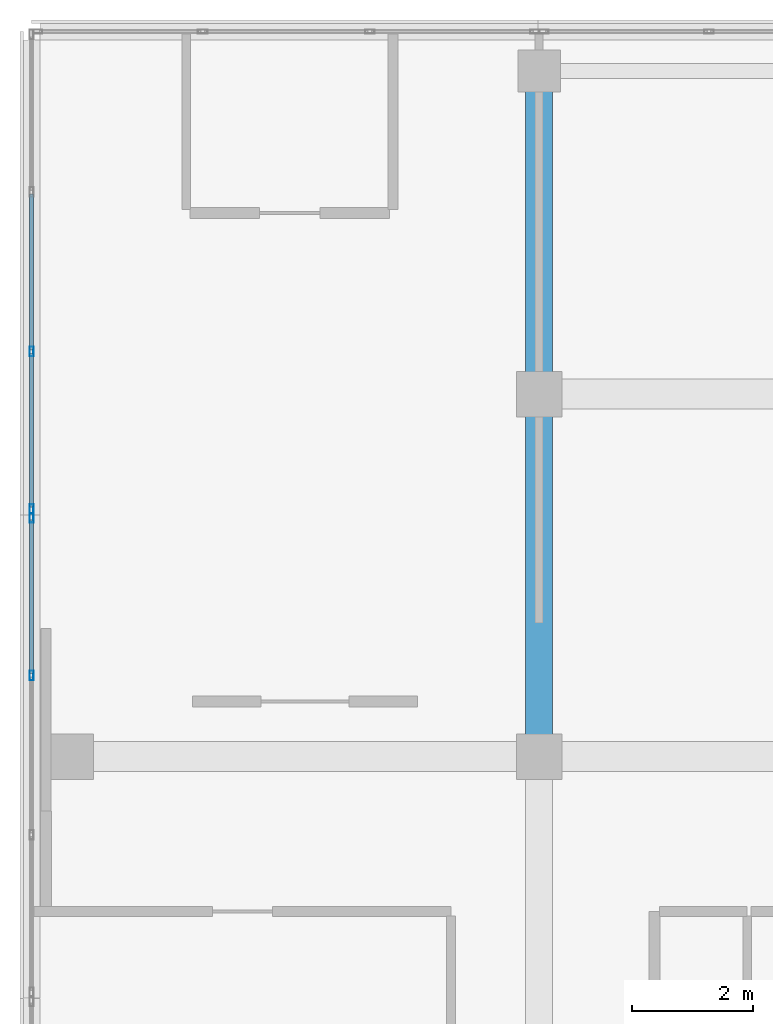
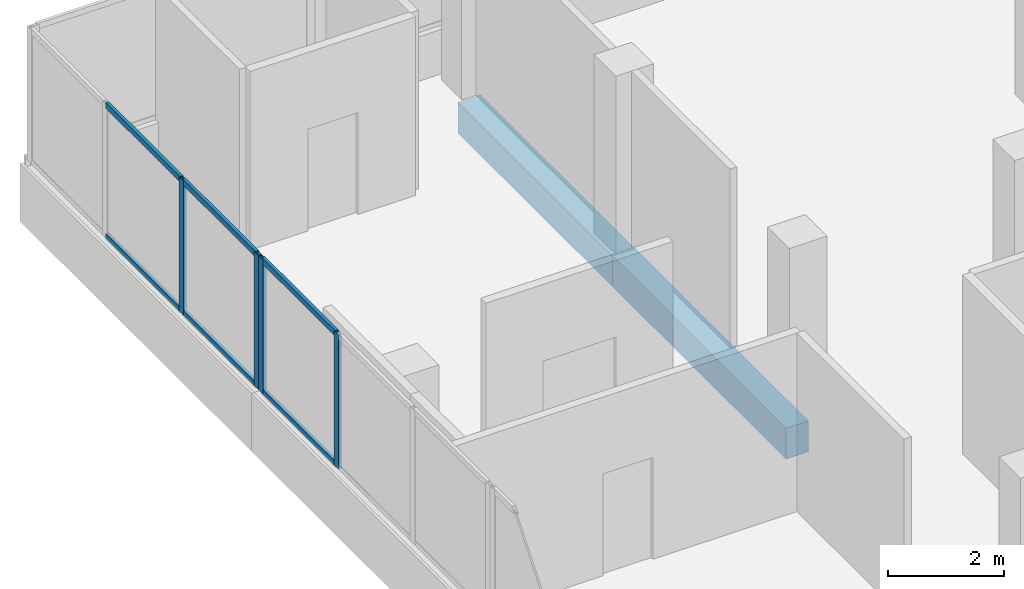
# One storey, part 33 of 101: 10 members, 2 beams, 2 elements without a shape of their own.
"""IFC4 building model written with IfcOpenShell, lengths in metres."""

from ifc_helpers import new_model, si_unit, direction, frame, origin, origin_2d, place, context, subcontext, project, spatial, rectangle, hollow_rectangle, extrude, material, material_profile, profile_set, type_object, element, aggregate, save


model = new_model("IFC4")

# Units and contexts
model_context = context("Model", 3, precision=1e-05, world=origin(), true_north=direction((0.0, 1.0)))
body_context = subcontext(model_context, "Body", "Model", "MODEL_VIEW")
ifc_project = project(units=[si_unit("LENGTHUNIT", "METRE"), si_unit("AREAUNIT", "SQUARE_METRE"), si_unit("VOLUMEUNIT", "CUBIC_METRE"), si_unit("PLANEANGLEUNIT", "RADIAN"), si_unit("MASSUNIT", "GRAM", prefix="KILO")], contexts=[model_context])

# Site, building, storey
site_placement = place(None, origin())
site = spatial("IfcSite", under=ifc_project, at=site_placement, CompositionType="ELEMENT")
building_placement = place(site_placement, origin())
building = spatial("IfcBuilding", under=site, at=building_placement, Name="Selatvlak General Hospital", CompositionType="ELEMENT")
storey_placement = place(building_placement, frame((0.0, 0.0, 19.199951171875)))
storey = spatial("IfcBuildingStorey", under=building, at=storey_placement, Name="L04", CompositionType="ELEMENT", Elevation=19.199951171875)

# Beams
ifc_material_1 = material(Name="Concrete C40/50", Category="concrete")
ifc_material_profile_1 = material_profile(ifc_material_1, rectangle(XDim=0.449951171875, YDim=0.64990234375, at=origin_2d()), Name="RC-BM 450x650")
ifc_profile_set_1 = profile_set([ifc_material_profile_1], Name="Concrete C40/50")
beam_type = type_object("IfcBeamType", Name="BM-G04", PredefinedType="BEAM", material=ifc_profile_set_1)
beam_1_placement = place(storey_placement, frame((22.800048828125, 108.0, -0.6298828125), z_axis=(0.0, 1.0, 0.0), x_axis=(-1.0, 0.0, 0.0)))
element("IfcBeam", 1, at=beam_1_placement, inside=storey, type_object=beam_type, Name="Beam BMR-L04-1646", PredefinedType="BEAM", context=body_context, shape_type="SweptSolid", body=[
    extrude(rectangle(XDim=0.449951171875, YDim=0.64990234375, at=origin_2d()), origin(), (0.0, 0.0, 1.0), 6.0),
])
beam_2_placement = place(storey_placement, frame((22.800048828125, 114.0, -0.6298828125), z_axis=(0.0, 1.0, 0.0), x_axis=(-1.0, 0.0, 0.0)))
element("IfcBeam", 2, at=beam_2_placement, inside=storey, type_object=beam_type, Name="Beam BMR-L04-1647", PredefinedType="BEAM", context=body_context, shape_type="SweptSolid", body=[
    extrude(rectangle(XDim=0.449951171875, YDim=0.64990234375, at=origin_2d()), origin(), (0.0, 0.0, 1.0), 5.35009765625),
])

# Curtain wall, members
ifc_material_2 = material(Name="Solar-control Low-E double glazing", Category="glass")
curtain_wall_type_1 = type_object("IfcCurtainWallType", Name="CW-CW-02", PredefinedType="USERDEFINED", material=ifc_material_2)
curtain_wall_1_placement = place(storey_placement, origin())
curtain_wall_1 = element("IfcCurtainWall", 3, at=curtain_wall_1_placement, inside=storey, type_object=curtain_wall_type_1, Name="Glazed facade curtain wall CW-L04-0478", ObjectType="UNITISED CURTAIN WALL", PredefinedType="USERDEFINED")
ifc_material_3 = material(Name="Dark anodised aluminium mullion", Category="aluminium")
ifc_material_profile_2 = material_profile(ifc_material_3, hollow_rectangle(XDim=0.06494140625, YDim=0.159912109375, WallThickness=0.00390625, at=origin_2d()), Name="AL-MUL 65x160x4")
ifc_profile_set_2 = profile_set([ifc_material_profile_2], Name="Dark anodised aluminium mullion")
member_type_1 = type_object("IfcMemberType", Name="CWM-01", PredefinedType="MULLION", material=ifc_profile_set_2)
member_1_placement = place(storey_placement, frame((14.39990234375, 109.343994140625, 0.93994140625), z_axis=(0.0, 0.0, 1.0), x_axis=(-1.0, 0.0, 0.0)))
member_1 = element("IfcMember", 4, at=member_1_placement, type_object=member_type_1, Name="CW-02 mullion 3", PredefinedType="MULLION", context=body_context, shape_type="SweptSolid", body=[
    extrude(hollow_rectangle(XDim=0.06494140625, YDim=0.159912109375, WallThickness=0.00390625, at=origin_2d()), origin(), (0.0, 0.0, 1.0), 2.830078125),
])
member_2_placement = place(storey_placement, frame((14.39990234375, 111.951416015625, 0.93994140625), z_axis=(0.0, 0.0, 1.0), x_axis=(-1.0, 0.0, 0.0)))
member_2 = element("IfcMember", 5, at=member_2_placement, type_object=member_type_1, Name="CW-02 mullion 4", PredefinedType="MULLION", context=body_context, shape_type="SweptSolid", body=[
    extrude(hollow_rectangle(XDim=0.06494140625, YDim=0.159912109375, WallThickness=0.00390625, at=origin_2d()), origin(), (0.0, 0.0, 1.0), 2.830078125),
])

curtain_wall_type_2 = type_object("IfcCurtainWallType", Name="CW-CW-01", PredefinedType="USERDEFINED", material=ifc_material_2)
curtain_wall_2_placement = place(storey_placement, origin())
curtain_wall_2 = element("IfcCurtainWall", 6, at=curtain_wall_2_placement, inside=storey, type_object=curtain_wall_type_2, Name="Glazed facade curtain wall CW-L04-0479", ObjectType="UNITISED CURTAIN WALL", PredefinedType="USERDEFINED")
member_3_placement = place(storey_placement, frame((14.39990234375, 112.096435546875, 0.93994140625), z_axis=(0.0, 0.0, 1.0), x_axis=(-1.0, 0.0, 0.0)))
member_3 = element("IfcMember", 7, at=member_3_placement, type_object=member_type_1, Name="CW-01 mullion 1", PredefinedType="MULLION", context=body_context, shape_type="SweptSolid", body=[
    extrude(hollow_rectangle(XDim=0.06494140625, YDim=0.159912109375, WallThickness=0.00390625, at=origin_2d()), origin(), (0.0, 0.0, 1.0), 2.830078125),
])
member_4_placement = place(storey_placement, frame((14.39990234375, 114.7041015625, 0.93994140625), z_axis=(0.0, 0.0, 1.0), x_axis=(-1.0, 0.0, 0.0)))
member_4 = element("IfcMember", 8, at=member_4_placement, type_object=member_type_1, Name="CW-01 mullion 2", PredefinedType="MULLION", context=body_context, shape_type="SweptSolid", body=[
    extrude(hollow_rectangle(XDim=0.06494140625, YDim=0.159912109375, WallThickness=0.00390625, at=origin_2d()), origin(), (0.0, 0.0, 1.0), 2.830078125),
])

# Member
ifc_material_profile_3 = material_profile(ifc_material_3, hollow_rectangle(XDim=0.06494140625, YDim=0.1201171875, WallThickness=0.00390625, at=origin_2d()), Name="AL-TRN 65x120x4")
ifc_profile_set_3 = profile_set([ifc_material_profile_3], Name="Dark anodised aluminium mullion")
member_type_2 = type_object("IfcMemberType", Name="CWT-01", PredefinedType="USERDEFINED", material=ifc_profile_set_3)
member_5_placement = place(storey_placement, frame((14.39990234375, 109.37646484375, 0.97265625), z_axis=(0.0, 1.0, 0.0), x_axis=(-1.0, 0.0, 0.0)))
member_5 = element("IfcMember", 9, at=member_5_placement, type_object=member_type_2, Name="CW-02 transom 3.1", ObjectType="TRANSOM", PredefinedType="USERDEFINED", context=body_context, shape_type="SweptSolid", body=[
    extrude(hollow_rectangle(XDim=0.06494140625, YDim=0.1201171875, WallThickness=0.00390625, at=origin_2d()), origin(), (0.0, 0.0, 1.0), 2.54248046875),
])

member_6_placement = place(storey_placement, frame((14.39990234375, 109.37646484375, 3.737548828125), z_axis=(0.0, 1.0, 0.0), x_axis=(-1.0, 0.0, 0.0)))
member_6 = element("IfcMember", 10, at=member_6_placement, type_object=member_type_2, Name="CW-02 transom 3.2", ObjectType="TRANSOM", PredefinedType="USERDEFINED", context=body_context, shape_type="SweptSolid", body=[
    extrude(hollow_rectangle(XDim=0.06494140625, YDim=0.1201171875, WallThickness=0.00390625, at=origin_2d()), origin(), (0.0, 0.0, 1.0), 2.54248046875),
])

aggregate(curtain_wall_1, [member_1, member_2, member_5, member_6])

member_7_placement = place(storey_placement, frame((14.39990234375, 112.12890625, 0.97265625), z_axis=(0.0, 1.0, 0.0), x_axis=(-1.0, 0.0, 0.0)))
member_7 = element("IfcMember", 11, at=member_7_placement, type_object=member_type_2, Name="CW-01 transom 1.1", ObjectType="TRANSOM", PredefinedType="USERDEFINED", context=body_context, shape_type="SweptSolid", body=[
    extrude(hollow_rectangle(XDim=0.06494140625, YDim=0.1201171875, WallThickness=0.00390625, at=origin_2d()), origin(), (0.0, 0.0, 1.0), 2.54248046875),
])

member_8_placement = place(storey_placement, frame((14.39990234375, 112.12890625, 3.737548828125), z_axis=(0.0, 1.0, 0.0), x_axis=(-1.0, 0.0, 0.0)))
member_8 = element("IfcMember", 12, at=member_8_placement, type_object=member_type_2, Name="CW-01 transom 1.2", ObjectType="TRANSOM", PredefinedType="USERDEFINED", context=body_context, shape_type="SweptSolid", body=[
    extrude(hollow_rectangle(XDim=0.06494140625, YDim=0.1201171875, WallThickness=0.00390625, at=origin_2d()), origin(), (0.0, 0.0, 1.0), 2.54248046875),
])

member_9_placement = place(storey_placement, frame((14.39990234375, 114.736572265625, 0.97265625), z_axis=(0.0, 1.0, 0.0), x_axis=(-1.0, 0.0, 0.0)))
member_9 = element("IfcMember", 13, at=member_9_placement, type_object=member_type_2, Name="CW-01 transom 2.1", ObjectType="TRANSOM", PredefinedType="USERDEFINED", context=body_context, shape_type="SweptSolid", body=[
    extrude(hollow_rectangle(XDim=0.06494140625, YDim=0.1201171875, WallThickness=0.00390625, at=origin_2d()), origin(), (0.0, 0.0, 1.0), 2.574951171875),
])

member_10_placement = place(storey_placement, frame((14.39990234375, 114.736572265625, 3.737548828125), z_axis=(0.0, 1.0, 0.0), x_axis=(-1.0, 0.0, 0.0)))
member_10 = element("IfcMember", 14, at=member_10_placement, type_object=member_type_2, Name="CW-01 transom 2.2", ObjectType="TRANSOM", PredefinedType="USERDEFINED", context=body_context, shape_type="SweptSolid", body=[
    extrude(hollow_rectangle(XDim=0.06494140625, YDim=0.1201171875, WallThickness=0.00390625, at=origin_2d()), origin(), (0.0, 0.0, 1.0), 2.574951171875),
])

aggregate(curtain_wall_2, [member_3, member_4, member_7, member_8, member_9, member_10])

save(model, "model.ifc")
